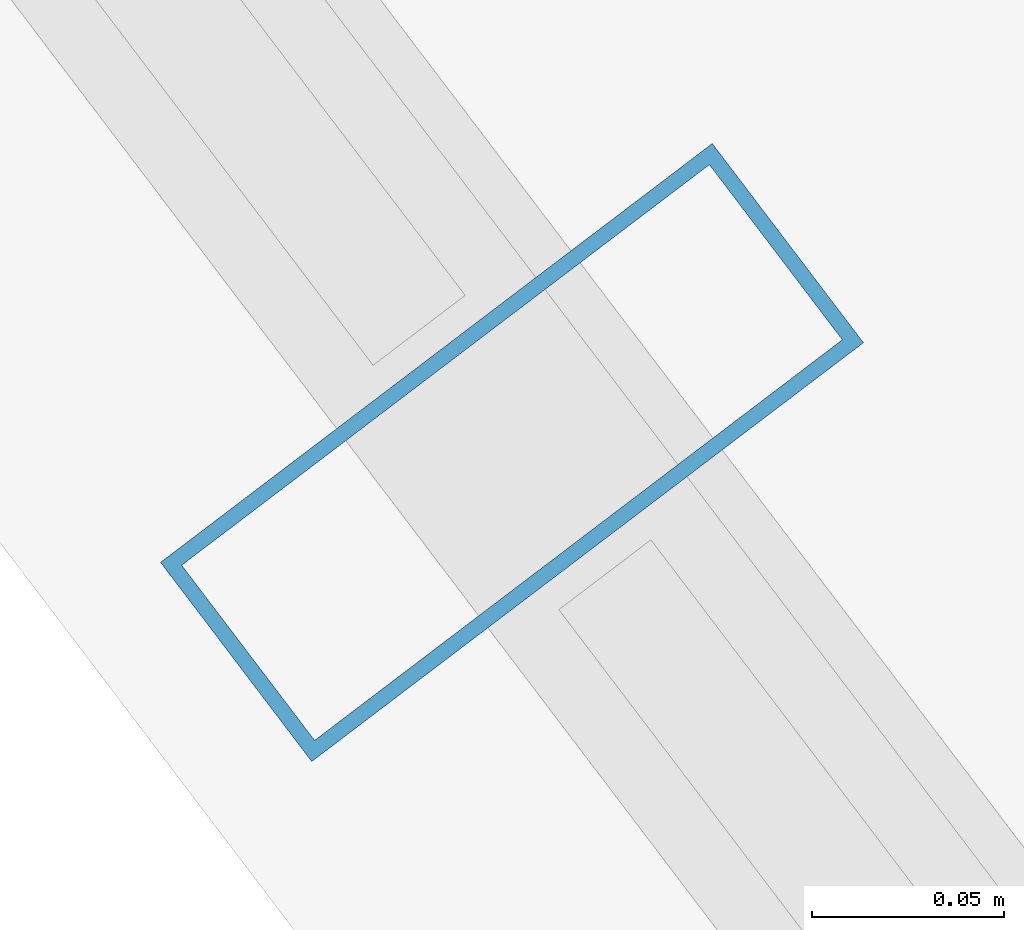
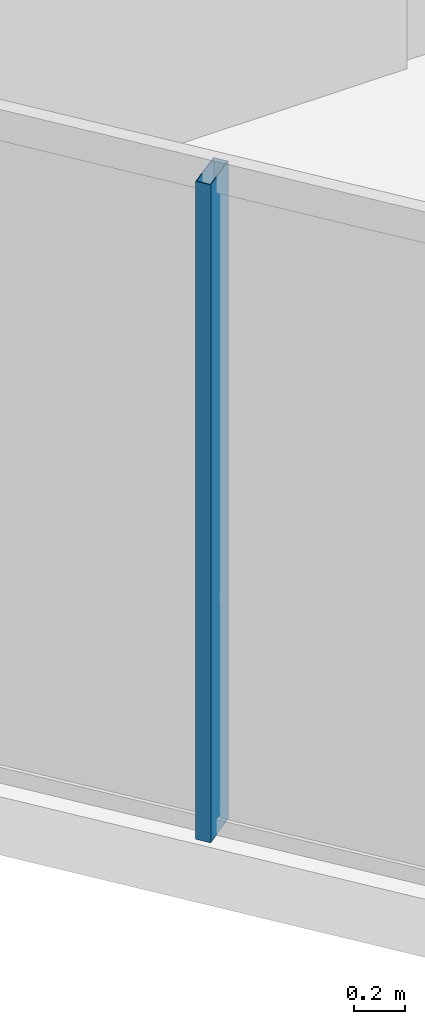
# One storey, part 2 of 30: 1 member, 1 element without a shape of its own.
"""IFC4 building model written with IfcOpenShell, lengths in metres."""

from ifc_helpers import new_model, si_unit, direction, frame, origin, origin_2d, place, context, subcontext, project, spatial, hollow_rectangle, extrude, material, layer, layer_set, material_profile, profile_set, type_object, element, aggregate, save


model = new_model("IFC4")

# Units and contexts
model_context = context("Model", 3, precision=1e-05, world=origin(), true_north=direction((0.0, 1.0)))
body_context = subcontext(model_context, "Body", "Model", "MODEL_VIEW")
ifc_project = project(units=[si_unit("LENGTHUNIT", "METRE"), si_unit("AREAUNIT", "SQUARE_METRE"), si_unit("VOLUMEUNIT", "CUBIC_METRE"), si_unit("PLANEANGLEUNIT", "RADIAN"), si_unit("MASSUNIT", "GRAM", prefix="KILO")], contexts=[model_context])

# Site, building, storey
site_placement = place(None, origin())
site = spatial("IfcSite", under=ifc_project, at=site_placement, CompositionType="ELEMENT")
building_placement = place(site_placement, origin())
building = spatial("IfcBuilding", under=site, at=building_placement, Name="Qarnah Convention Tower", CompositionType="ELEMENT")
storey_placement = place(building_placement, frame((0.0, 0.0, 93.60009765625)))
storey = spatial("IfcBuildingStorey", under=building, at=storey_placement, Name="L24", CompositionType="ELEMENT", Elevation=93.60009765625)

# Curtain wall, member
ifc_material_1 = material(Name="Tempered Low-E dark glass", Category="glass")
ifc_layer = layer(ifc_material_1, 0.169921875)
ifc_layer_set = layer_set([ifc_layer], Name="Tempered Low-E dark glass")
curtain_wall_type = type_object("IfcCurtainWallType", Name="CWS-02", PredefinedType="NOTDEFINED", material=ifc_layer_set)
curtain_wall_placement = place(storey_placement, origin())
curtain_wall = element("IfcCurtainWall", 1, at=curtain_wall_placement, inside=storey, type_object=curtain_wall_type, Name="L24 unitised curtain wall CW-L24-F2", PredefinedType="NOTDEFINED")
ifc_material_2 = material(Name="Black anodised aluminium", Category="aluminium")
ifc_material_profile = material_profile(ifc_material_2, hollow_rectangle(XDim=0.06494140625, YDim=0.179931640625, WallThickness=0.00390625, at=origin_2d()), Name="MUL-65X180")
ifc_profile_set = profile_set([ifc_material_profile], Name="Black anodised aluminium")
member_type = type_object("IfcMemberType", Name="MUL-T2", PredefinedType="MULLION", material=ifc_profile_set)
member_placement = place(storey_placement, frame((25.7822265625, 12.57958984375, 0.0), z_axis=(0.0, 0.0, 1.0), x_axis=(-0.604606608051, 0.796524230329, 0.0)))
member = element("IfcMember", 2, at=member_placement, type_object=member_type, Name="CW-L24-F2 mullion 3", PredefinedType="MULLION", context=body_context, shape_type="SweptSolid", body=[
    extrude(hollow_rectangle(XDim=0.06494140625, YDim=0.179931640625, WallThickness=0.00390625, at=origin_2d()), origin(), (0.0, 0.0, 1.0), 3.169921875),
])
aggregate(curtain_wall, [member])

save(model, "model.ifc")
